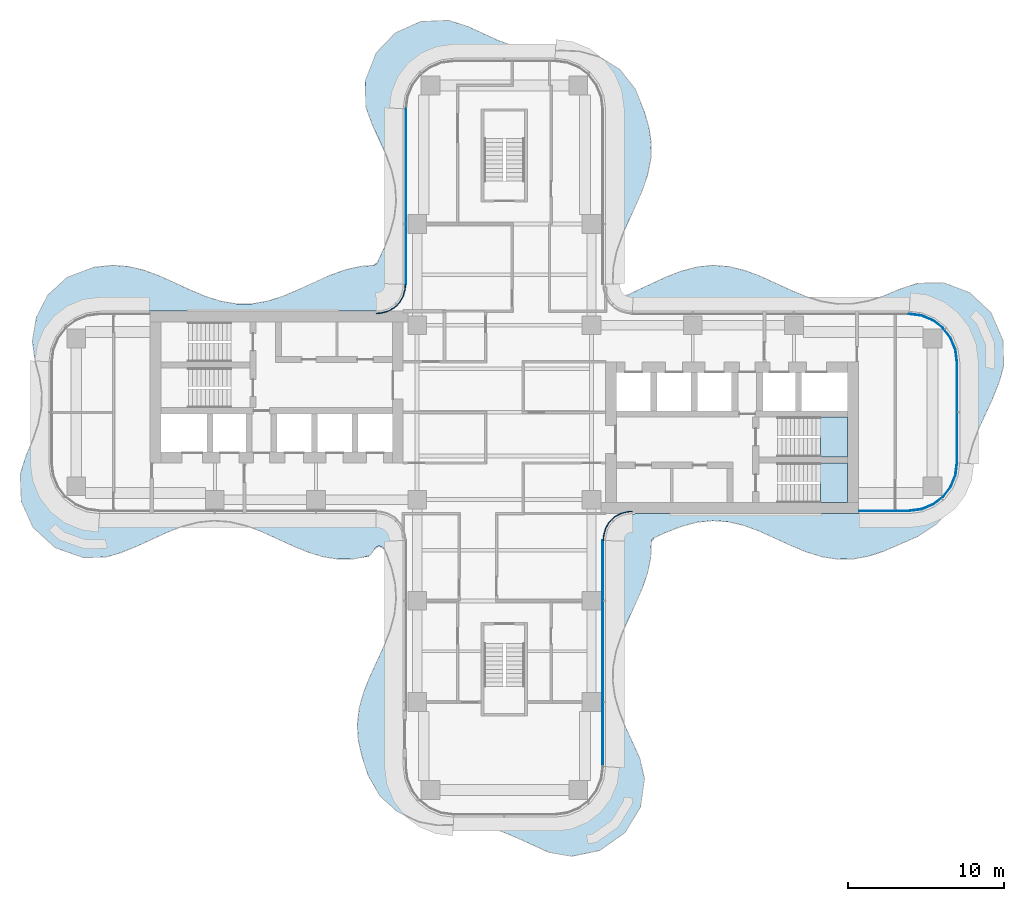
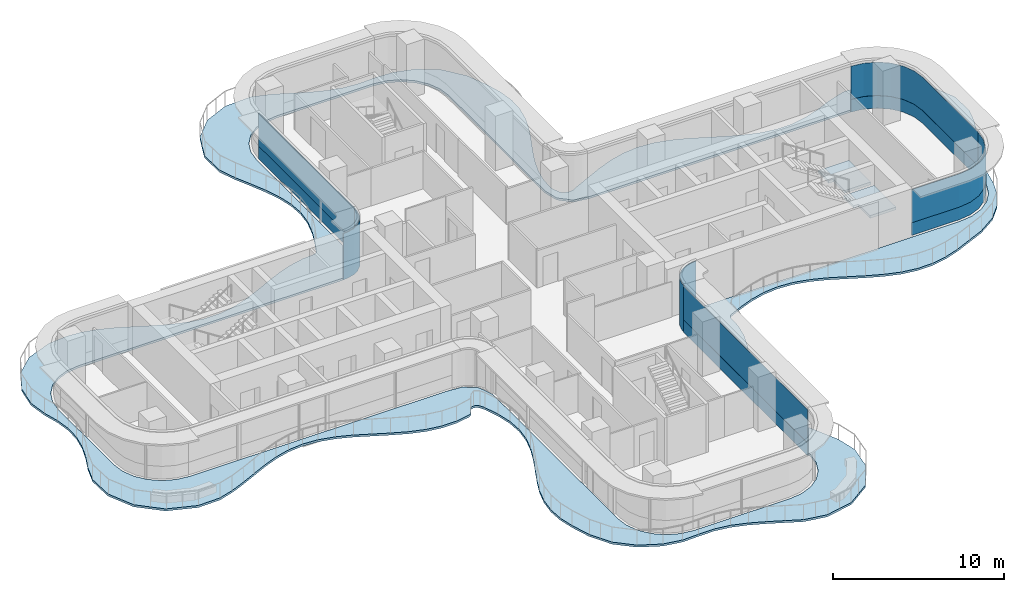
# One storey, part 10 of 17: 10 plates, 3 slabs, 8 elements without a shape of their own.
"""IFC4 building model written with IfcOpenShell, lengths in metres."""

from ifc_helpers import new_model, si_unit, direction, frame, origin, place, context, subcontext, project, spatial, polyline, outline, extrude, source, transform, mapped, material, layer, layer_set, type_object, element, aggregate, save


model = new_model("IFC4")

# Units and contexts
model_context = context("Model", 3, precision=1e-05, world=origin(), true_north=direction((0.0, 1.0)))
body_context = subcontext(model_context, "Body", "Model", "MODEL_VIEW")
ifc_project = project(units=[si_unit("LENGTHUNIT", "METRE"), si_unit("AREAUNIT", "SQUARE_METRE"), si_unit("VOLUMEUNIT", "CUBIC_METRE"), si_unit("PLANEANGLEUNIT", "RADIAN"), si_unit("MASSUNIT", "GRAM", prefix="KILO")], contexts=[model_context])

# Site, building, storey
site_placement = place(None, origin())
site = spatial("IfcSite", under=ifc_project, at=site_placement, CompositionType="ELEMENT")
building_placement = place(site_placement, origin())
building = spatial("IfcBuilding", under=site, at=building_placement, Name="Trellis Farm Tower", CompositionType="ELEMENT")
storey_placement = place(building_placement, frame((0.0, 0.0, 208.800048828125)))
storey = spatial("IfcBuildingStorey", under=building, at=storey_placement, Name="L46", CompositionType="ELEMENT", Elevation=208.800048828125)

# Slab
ifc_material_1 = material(Name="Concrete C40/50", Category="concrete")
ifc_layer_1 = layer(ifc_material_1, 0.14990234375)
ifc_layer_set_1 = layer_set([ifc_layer_1], Name="Balcony slab 150")
slab_type_1 = type_object("IfcSlabType", Name="Balcony slab 150", PredefinedType="FLOOR", material=ifc_layer_set_1)
slab_1_placement = place(storey_placement, frame((0.0, 0.0, -0.150146484375)))
element("IfcSlab", 1, at=slab_1_placement, inside=storey, type_object=slab_type_1, Name="Balcony slab", PredefinedType="FLOOR", context=body_context, shape_type="SweptSolid", body=[
    extrude(outline(polyline([(-8.139892578125, 9.652099609375), (-7.739501953125, 10.525146484375), (-7.73779296875, 10.52880859375), (-7.356201171875, 11.49365234375), (-7.353515625, 11.501220703125), (-7.0703125, 12.5322265625), (-7.068115234375, 12.54345703125), (-6.95556640625, 13.531982421875), (-6.955078125, 13.544921875), (-7.013427734375, 14.526611328125), (-7.01513671875, 14.53857421875), (-7.234375, 15.517578125), (-7.23681640625, 15.5263671875), (-7.587890625, 16.50732421875), (-7.58984375, 16.512451171875), (-8.02587890625, 17.497314453125), (-8.026611328125, 17.498779296875), (-8.484619140625, 18.478759765625), (-8.489501953125, 18.490478515625), (-8.89208984375, 19.5888671875), (-8.9013671875, 19.63720703125), (-8.93701171875, 21.283203125), (-8.9345703125, 21.313720703125), (-8.927490234375, 21.351318359375), (-8.919189453125, 21.3798828125), (-8.239501953125, 23.0693359375), (-8.226318359375, 23.094970703125), (-8.205810546875, 23.12646484375), (-8.18798828125, 23.14892578125), (-7.023681640625, 24.35400390625), (-7.001953125, 24.372802734375), (-6.971435546875, 24.39404296875), (-6.9462890625, 24.408203125), (-5.40625, 25.093994140625), (-5.37939453125, 25.10302734375), (-5.34375, 25.111328125), (-5.31591796875, 25.115234375), (-3.63720703125, 25.185302734375), (-3.61083984375, 25.18408203125), (-3.576904296875, 25.179443359375), (-3.551025390625, 25.173583984375), (-2.370849609375, 24.795166015625), (-2.354248046875, 24.788818359375), (-0.392578125, 23.89111328125), (-0.38720703125, 23.888916015625), (0.633544921875, 23.512451171875), (0.64208984375, 23.510009765625), (1.581298828125, 23.284423828125), (1.5927734375, 23.28271484375), (2.58544921875, 23.202392578125), (2.594482421875, 23.2021484375), (3.67724609375, 23.24609375), (3.6904296875, 23.245849609375), (4.829833984375, 23.19189453125), (4.863037109375, 23.1865234375), (6.114013671875, 22.837646484375), (6.1533203125, 22.8203125), (7.40380859375, 22.03466796875), (7.425048828125, 22.018310546875), (7.449951171875, 21.99560546875), (7.4677734375, 21.976318359375), (8.427978515625, 20.7294921875), (8.44873046875, 20.693115234375), (9.002685546875, 19.291259765625), (9.00732421875, 19.277587890625), (9.29541015625, 18.27490234375), (9.299560546875, 18.25439453125), (9.4375, 17.2841796875), (9.43896484375, 17.258544921875), (9.409423828125, 16.286865234375), (9.40673828125, 16.26220703125), (9.2119140625, 15.2841796875), (9.206787109375, 15.264892578125), (8.87109375, 14.279052734375), (8.86669921875, 14.267578125), (8.434814453125, 13.27392578125), (8.43310546875, 13.27001953125), (7.969482421875, 12.2783203125), (7.968505859375, 12.276611328125), (7.5400390625, 11.292236328125), (7.537841796875, 11.28662109375), (7.189208984375, 10.261962890625), (7.186767578125, 10.252685546875), (6.998291015625, 9.3173828125), (6.996826171875, 9.3056640625), (6.96142578125, 8.389892578125), (6.962646484375, 8.37255859375), (6.98974609375, 8.235107421875), (6.994873046875, 8.218994140625), (7.1865234375, 7.78955078125), (7.19482421875, 7.775146484375), (7.27294921875, 7.671142578125), (7.2978515625, 7.64990234375), (7.4130859375, 7.590087890625), (7.4287109375, 7.583984375), (7.6767578125, 7.518798828125), (7.70361328125, 7.516845703125), (7.923095703125, 7.5400390625), (7.94873046875, 7.547607421875), (8.44189453125, 7.796875), (8.44677734375, 7.799072265625), (10.411376953125, 8.707763671875), (10.42041015625, 8.711669921875), (11.400390625, 9.087646484375), (11.416259765625, 9.0927734375), (12.3896484375, 9.345703125), (12.412353515625, 9.349853515625), (13.38232421875, 9.447021484375), (13.40869140625, 9.447265625), (14.40869140625, 9.37109375), (14.4326171875, 9.367431640625), (15.405029296875, 9.132568359375), (15.422119140625, 9.12744140625), (16.40087890625, 8.764404296875), (16.4111328125, 8.760009765625), (18.386474609375, 7.8564453125), (18.388671875, 7.85546875), (19.372314453125, 7.44482421875), (19.37890625, 7.4423828125), (20.358642578125, 7.13623046875), (20.368896484375, 7.1337890625), (21.34814453125, 6.97265625), (21.360595703125, 6.9716796875), (22.344482421875, 6.977294921875), (22.357421875, 6.978515625), (23.394775390625, 7.1650390625), (23.40478515625, 7.167724609375), (24.385009765625, 7.489501953125), (24.39111328125, 7.49169921875), (25.371826171875, 7.909423828125), (25.384521484375, 7.9140625), (26.5625, 8.29638671875), (26.606201171875, 8.303466796875), (28.156494140625, 8.33154296875), (28.185302734375, 8.3291015625), (28.220703125, 8.322998046875), (28.247802734375, 8.3154296875), (29.836181640625, 7.7138671875), (29.862548828125, 7.70068359375), (29.894775390625, 7.6806640625), (29.91796875, 7.662841796875), (31.23583984375, 6.425537109375), (31.256103515625, 6.402099609375), (31.279052734375, 6.369384765625), (31.294189453125, 6.342041015625), (32.015869140625, 4.64599609375), (32.0244140625, 4.619140625), (32.031982421875, 4.583984375), (32.035400390625, 4.555419921875), (32.07080078125, 3.01171875), (32.065673828125, 2.968994140625), (31.80078125, 1.9921875), (31.79541015625, 1.976318359375), (31.4111328125, 1.0048828125), (31.407958984375, 0.997314453125), (30.496826171875, -0.986083984375), (30.4951171875, -0.989990234375), (30.106201171875, -1.971923828125), (30.103515625, -1.9794921875), (29.825439453125, -2.98193359375), (29.824462890625, -2.986572265625), (29.59521484375, -4.0771484375), (29.59033203125, -4.0947265625), (29.22412109375, -5.16552734375), (29.2119140625, -5.1923828125), (28.618408203125, -6.21533203125), (28.599609375, -6.2412109375), (27.75927734375, -7.1630859375), (27.731201171875, -7.187255859375), (26.560791015625, -7.96240234375), (26.53759765625, -7.974853515625), (24.387451171875, -8.909912109375), (24.374267578125, -8.914794921875), (23.398193359375, -9.234619140625), (23.378662109375, -9.239501953125), (22.407470703125, -9.41748046875), (22.382568359375, -9.419921875), (21.41162109375, -9.432861328125), (21.38623046875, -9.430908203125), (20.41015625, -9.2763671875), (20.389404296875, -9.271484375), (19.4052734375, -8.96728515625), (19.391845703125, -8.962646484375), (18.39306640625, -8.54638671875), (18.388427734375, -8.54443359375), (16.39208984375, -7.632080078125), (16.386962890625, -7.6298828125), (15.387939453125, -7.2626953125), (15.37939453125, -7.260009765625), (14.38525390625, -7.02587890625), (14.37353515625, -7.02392578125), (13.38671875, -6.953857421875), (13.373779296875, -6.9541015625), (12.393310546875, -7.05419921875), (12.382080078125, -7.056396484375), (11.40283203125, -7.31201171875), (11.39501953125, -7.314453125), (10.4130859375, -7.691650390625), (10.408935546875, -7.693359375), (9.64697265625, -8.0400390625), (9.632080078125, -8.048828125), (9.52685546875, -8.1298828125), (9.505615234375, -8.15576171875), (9.4501953125, -8.268310546875), (9.442626953125, -8.298583984375), (9.40625, -9.284912109375), (9.4033203125, -9.309326171875), (9.2060546875, -10.281005859375), (9.200927734375, -10.2998046875), (8.865966796875, -11.27734375), (8.861572265625, -11.28857421875), (8.432861328125, -12.2734375), (8.43115234375, -12.277099609375), (7.965576171875, -13.273193359375), (7.964599609375, -13.275146484375), (7.52978515625, -14.277099609375), (7.527587890625, -14.28271484375), (7.189208984375, -15.281005859375), (7.186767578125, -15.29052734375), (6.99169921875, -16.28271484375), (6.990234375, -16.295166015625), (6.962890625, -17.280029296875), (6.963623046875, -17.292724609375), (7.10498046875, -18.2724609375), (7.107177734375, -18.282958984375), (7.397216796875, -19.262451171875), (7.399658203125, -19.26953125), (7.7998046875, -20.25244140625), (7.80126953125, -20.25537109375), (8.697998046875, -22.208984375), (8.7080078125, -22.238525390625), (8.998291015625, -23.525634765625), (9.001953125, -23.553466796875), (9.003173828125, -23.589111328125), (9.001708984375, -23.616455078125), (8.74609375, -25.3173828125), (8.73876953125, -25.34619140625), (8.7255859375, -25.38232421875), (8.712890625, -25.4091796875), (7.759765625, -26.976806640625), (7.740966796875, -27.00146484375), (7.7138671875, -27.030517578125), (7.6904296875, -27.05078125), (6.18603515625, -28.105712890625), (6.159423828125, -28.12060546875), (6.123291015625, -28.136474609375), (6.093994140625, -28.1455078125), (4.330810546875, -28.510009765625), (4.302490234375, -28.512939453125), (4.265625, -28.513427734375), (4.236572265625, -28.510986328125), (2.86962890625, -28.259521484375), (2.83447265625, -28.248291015625), (0.885009765625, -27.3564453125), (0.8828125, -27.35546875), (-0.1005859375, -26.94482421875), (-0.107421875, -26.9423828125), (-1.135009765625, -26.625), (-1.145751953125, -26.62255859375), (-2.13623046875, -26.468017578125), (-2.1484375, -26.46728515625), (-3.119873046875, -26.477294921875), (-3.12158203125, -26.477294921875), (-4.273193359375, -26.51806640625), (-4.3056640625, -26.515625), (-5.50537109375, -26.294677734375), (-5.542724609375, -26.282470703125), (-6.850341796875, -25.658203125), (-6.8857421875, -25.634521484375), (-7.96630859375, -24.666259765625), (-7.99658203125, -24.628662109375), (-8.7509765625, -23.3017578125), (-8.76318359375, -23.2734375), (-9.16748046875, -22.015625), (-9.171142578125, -22.002197265625), (-9.38671875, -21.030517578125), (-9.389892578125, -21.006591796875), (-9.4453125, -20.036376953125), (-9.444580078125, -20.01025390625), (-9.32568359375, -19.010009765625), (-9.3212890625, -18.987548828125), (-9.051025390625, -18.013916015625), (-9.0458984375, -17.998779296875), (-8.657470703125, -17.017578125), (-8.654296875, -17.01025390625), (-7.739501953125, -15.017822265625), (-7.73779296875, -15.01416015625), (-7.34423828125, -14.013916015625), (-7.341796875, -14.006103515625), (-7.0703125, -13.0107421875), (-7.068115234375, -12.99951171875), (-6.95556640625, -12.010986328125), (-6.955078125, -11.998046875), (-7.013427734375, -11.016357421875), (-7.01513671875, -11.00439453125), (-7.234375, -10.025390625), (-7.23681640625, -10.0166015625), (-7.572509765625, -9.075439453125), (-7.576904296875, -9.065673828125), (-7.7314453125, -8.7724609375), (-7.744873046875, -8.754150390625), (-7.864501953125, -8.6357421875), (-7.90185546875, -8.61572265625), (-8.056396484375, -8.585205078125), (-8.0986328125, -8.589111328125), (-8.244384765625, -8.64892578125), (-8.27734375, -8.67578125), (-8.37451171875, -8.818603515625), (-8.381103515625, -8.8310546875), (-8.412109375, -8.9033203125), (-8.430908203125, -8.935546875), (-8.60888671875, -9.16748046875), (-8.64990234375, -9.2041015625), (-8.705810546875, -9.23828125), (-8.757568359375, -9.258056640625), (-9.66455078125, -9.420166015625), (-9.689697265625, -9.422607421875), (-10.660888671875, -9.4306640625), (-10.686279296875, -9.4287109375), (-11.656982421875, -9.2705078125), (-11.677490234375, -9.265869140625), (-12.6376953125, -8.96728515625), (-12.65087890625, -8.962646484375), (-13.64990234375, -8.54638671875), (-13.654541015625, -8.54443359375), (-15.62890625, -7.64111328125), (-15.634033203125, -7.638916015625), (-16.614990234375, -7.274658203125), (-16.623779296875, -7.272216796875), (-17.65771484375, -7.02587890625), (-17.669677734375, -7.02392578125), (-18.65625, -6.953857421875), (-18.669189453125, -6.9541015625), (-19.649658203125, -7.05419921875), (-19.660888671875, -7.056396484375), (-20.639892578125, -7.31201171875), (-20.64794921875, -7.314453125), (-21.629638671875, -7.691650390625), (-21.634033203125, -7.693359375), (-23.60888671875, -8.599853515625), (-23.614990234375, -8.6025390625), (-24.59716796875, -9.002197265625), (-24.611328125, -9.00732421875), (-25.567138671875, -9.289306640625), (-25.606201171875, -9.29541015625), (-27.010986328125, -9.325927734375), (-27.03857421875, -9.32421875), (-27.072509765625, -9.318603515625), (-27.0986328125, -9.311767578125), (-28.837890625, -8.695068359375), (-28.865478515625, -8.681884765625), (-28.8994140625, -8.66162109375), (-28.923583984375, -8.643310546875), (-30.252685546875, -7.4091796875), (-30.272705078125, -7.386474609375), (-30.29541015625, -7.3544921875), (-30.310546875, -7.328125), (-31.018798828125, -5.72998046875), (-31.027587890625, -5.702880859375), (-31.035888671875, -5.66748046875), (-31.039794921875, -5.638427734375), (-31.092041015625, -3.9931640625), (-31.08544921875, -3.944091796875), (-30.72216796875, -2.768798828125), (-30.716552734375, -2.75341796875), (-30.2900390625, -1.770751953125), (-30.287841796875, -1.76513671875), (-29.951171875, -0.784912109375), (-29.948486328125, -0.775146484375), (-29.74169921875, 0.26123046875), (-29.740234375, 0.273681640625), (-29.712890625, 1.258544921875), (-29.713623046875, 1.271240234375), (-29.85400390625, 2.2490234375), (-29.85595703125, 2.25830078125), (-30.138916015625, 3.284423828125), (-30.142822265625, 3.3037109375), (-30.31640625, 4.56298828125), (-30.315673828125, 4.6083984375), (-30.062744140625, 6.09814453125), (-30.0478515625, 6.142333984375), (-29.32958984375, 7.521484375), (-29.315185546875, 7.544189453125), (-29.29443359375, 7.57080078125), (-29.27685546875, 7.58984375), (-28.101318359375, 8.657958984375), (-28.07861328125, 8.6748046875), (-28.0478515625, 8.693603515625), (-28.022216796875, 8.706298828125), (-26.389892578125, 9.318115234375), (-26.352294921875, 9.326904296875), (-25.16064453125, 9.44677734375), (-25.134521484375, 9.447021484375), (-24.16162109375, 9.37548828125), (-24.1376953125, 9.371826171875), (-23.157958984375, 9.138671875), (-23.140625, 9.133544921875), (-22.153076171875, 8.768798828125), (-22.142578125, 8.7646484375), (-20.156494140625, 7.8564453125), (-20.154296875, 7.85546875), (-19.170654296875, 7.44482421875), (-19.164306640625, 7.4423828125), (-18.184326171875, 7.13623046875), (-18.17431640625, 7.1337890625), (-17.19482421875, 6.97265625), (-17.18212890625, 6.9716796875), (-16.1982421875, 6.977294921875), (-16.185791015625, 6.978515625), (-15.1943359375, 7.153564453125), (-15.184326171875, 7.156005859375), (-14.186767578125, 7.478515625), (-14.180419921875, 7.48095703125), (-13.178955078125, 7.90673828125), (-13.176513671875, 7.907958984375), (-12.1787109375, 8.373779296875), (-12.176025390625, 8.375), (-11.190185546875, 8.811767578125), (-11.1796875, 8.81591796875), (-10.201416015625, 9.165283203125), (-10.18359375, 9.17041015625), (-9.210205078125, 9.386962890625), (-9.1875, 9.39013671875), (-8.4501953125, 9.43896484375), (-8.4306640625, 9.44287109375), (-8.283447265625, 9.493896484375), (-8.251220703125, 9.515869140625), (-8.15087890625, 9.635009765625), (-8.139892578125, 9.652099609375)]), holes=[polyline([(-7.627197265625, -6.625), (-6.92724609375, -7.08642578125), (-6.892822265625, -7.117919921875), (-6.857421875, -7.162109375), (-6.83349609375, -7.2041015625), (-6.5205078125, -8.05517578125), (-6.51123046875, -8.105224609375), (-6.50048828125, -8.99609375), (-6.50048828125, -22.75), (-6.389892578125, -23.59130859375), (-6.065185546875, -24.375244140625), (-5.548583984375, -25.048583984375), (-4.875244140625, -25.565185546875), (-4.09130859375, -25.889892578125), (-3.25, -26.00048828125), (3.25, -26.00048828125), (4.09130859375, -25.889892578125), (4.875244140625, -25.565185546875), (5.548583984375, -25.048583984375), (6.065185546875, -24.375244140625), (6.389892578125, -23.59130859375), (6.50048828125, -22.75), (6.50048828125, -8.321044921875), (6.50439453125, -8.290283203125), (6.720458984375, -7.40380859375), (6.737060546875, -7.363037109375), (6.764404296875, -7.31689453125), (6.79150390625, -7.283203125), (7.401611328125, -6.717041015625), (7.43701171875, -6.692626953125), (7.485107421875, -6.668701171875), (7.526611328125, -6.655517578125), (8.429931640625, -6.502197265625), (8.44775390625, -6.50048828125), (26.0, -6.50048828125), (26.84130859375, -6.389892578125), (27.625244140625, -6.065185546875), (28.298583984375, -5.548583984375), (28.815185546875, -4.875244140625), (29.139892578125, -4.09130859375), (29.25048828125, -3.25), (29.25048828125, 3.25), (29.139892578125, 4.09130859375), (28.815185546875, 4.875244140625), (28.298583984375, 5.548583984375), (27.625244140625, 6.065185546875), (26.84130859375, 6.389892578125), (26.0, 6.50048828125), (8.44775390625, 6.50048828125), (8.429931640625, 6.502197265625), (7.526611328125, 6.655517578125), (7.485107421875, 6.668701171875), (7.43701171875, 6.692626953125), (7.401611328125, 6.717041015625), (6.79150390625, 7.283203125), (6.764404296875, 7.31689453125), (6.737060546875, 7.363037109375), (6.720458984375, 7.40380859375), (6.50439453125, 8.290283203125), (6.50048828125, 8.321044921875), (6.50048828125, 19.5), (6.389892578125, 20.34130859375), (6.065185546875, 21.125244140625), (5.548583984375, 21.798583984375), (4.875244140625, 22.315185546875), (4.09130859375, 22.639892578125), (3.25, 22.75048828125), (-3.25, 22.75048828125), (-4.09130859375, 22.639892578125), (-4.875244140625, 22.315185546875), (-5.548583984375, 21.798583984375), (-6.065185546875, 21.125244140625), (-6.389892578125, 20.34130859375), (-6.50048828125, 19.5), (-6.50048828125, 8.536376953125), (-6.501220703125, 8.526611328125), (-6.618408203125, 7.612548828125), (-6.629638671875, 7.572021484375), (-6.650390625, 7.52392578125), (-6.672119140625, 7.48828125), (-7.201171875, 6.84423828125), (-7.23388671875, 6.814697265625), (-7.279052734375, 6.784423828125), (-7.320068359375, 6.765380859375), (-8.194091796875, 6.5087890625), (-8.236083984375, 6.502685546875), (-21.365478515625, 6.50048828125), (-26.0, 6.50048828125), (-26.84130859375, 6.389892578125), (-27.625244140625, 6.065185546875), (-28.298583984375, 5.548583984375), (-28.815185546875, 4.875244140625), (-29.139892578125, 4.09130859375), (-29.25048828125, 3.25), (-29.25048828125, -3.25), (-29.139892578125, -4.09130859375), (-28.815185546875, -4.875244140625), (-28.298583984375, -5.548583984375), (-27.625244140625, -6.065185546875), (-26.84130859375, -6.389892578125), (-26.0, -6.50048828125), (-8.66748046875, -6.50048828125), (-8.6669921875, -6.50048828125), (-7.740234375, -6.58544921875), (-7.7041015625, -6.59326171875), (-7.66015625, -6.608642578125), (-7.627197265625, -6.625)])]), origin(), (0.0, 0.0, 1.0), 0.150146484375),
])

# Curtain wall, plate
ifc_material_2 = material(Name="Aluminium and glass curtain wall", Category="aluminium")
ifc_layer_2 = layer(ifc_material_2, 0.18994140625)
ifc_layer_set_2 = layer_set([ifc_layer_2], Name="RIBBON CURTAIN WALL CW1")
curtain_wall_type_1 = type_object("IfcCurtainWallType", Name="RIBBON CURTAIN WALL CW1", PredefinedType="NOTDEFINED", material=ifc_layer_set_2)
placement_1 = place(storey_placement, origin())
curtain_wall_1 = element("IfcCurtainWall", 2, at=placement_1, inside=storey, type_object=curtain_wall_type_1, Name="CW1 005", PredefinedType="NOTDEFINED")
ifc_material_3 = material(Name="Clear insulated glass", Category="glass")
ifc_layer_3 = layer(ifc_material_3, 0.0400390625)
ifc_layer_set_3 = layer_set([ifc_layer_3], Name="CW1 GLASS PANEL 40")
plate_type_1 = type_object("IfcPlateType", Name="CW1 GLASS PANEL 40", PredefinedType="CURTAIN_PANEL", material=ifc_layer_set_3)
placement_2 = place(storey_placement, frame((0.0, 0.0, 0.89990234375)))
plate_1 = element("IfcPlate", 3, at=placement_2, type_object=plate_type_1, Name="PL1 005", PredefinedType="CURTAIN_PANEL", context=body_context, shape_type="SweptSolid", body=[
    extrude(outline(polyline([(6.35009765625, -22.740234375), (6.35009765625, -8.2265625), (6.31005859375, -8.22509765625), (6.31005859375, -22.737548828125), (6.35009765625, -22.740234375)])), origin(), (0.0, 0.0, 1.0), 2.3701171875),
])

curtain_wall_2 = element("IfcCurtainWall", 4, at=placement_1, inside=storey, type_object=curtain_wall_type_1, Name="CW1 006", PredefinedType="NOTDEFINED")
plate_2 = element("IfcPlate", 5, at=placement_2, type_object=plate_type_1, Name="PL1 006", PredefinedType="CURTAIN_PANEL", context=body_context, shape_type="SweptSolid", body=[
    extrude(outline(polyline([(22.780029296875, -6.35009765625), (25.990234375, -6.35009765625), (26.802001953125, -6.2431640625), (27.54931640625, -5.93359375), (28.191162109375, -5.441162109375), (28.68359375, -4.79931640625), (28.9931640625, -4.052001953125), (29.10009765625, -3.240234375), (29.06005859375, -3.237548828125), (28.9541015625, -4.04150390625), (28.648681640625, -4.779296875), (28.16259765625, -5.41259765625), (27.529296875, -5.898681640625), (26.79150390625, -6.2041015625), (25.987548828125, -6.31005859375), (22.780029296875, -6.31005859375), (22.780029296875, -6.35009765625)])), origin(), (0.0, 0.0, 1.0), 2.3701171875),
])

curtain_wall_3 = element("IfcCurtainWall", 6, at=placement_1, inside=storey, type_object=curtain_wall_type_1, Name="CW1 007", PredefinedType="NOTDEFINED")
plate_3 = element("IfcPlate", 7, at=placement_2, type_object=plate_type_1, Name="PL1 007", PredefinedType="CURTAIN_PANEL", context=body_context, shape_type="SweptSolid", body=[
    extrude(outline(polyline([(29.10009765625, -3.240234375), (29.10009765625, 3.240234375), (28.9931640625, 4.052001953125), (28.68359375, 4.79931640625), (28.191162109375, 5.441162109375), (27.54931640625, 5.93359375), (26.802001953125, 6.2431640625), (25.990234375, 6.35009765625), (25.987548828125, 6.31005859375), (26.79150390625, 6.2041015625), (27.529296875, 5.898681640625), (28.16259765625, 5.41259765625), (28.648681640625, 4.779296875), (28.9541015625, 4.04150390625), (29.06005859375, 3.237548828125), (29.06005859375, -3.237548828125), (29.10009765625, -3.240234375)])), origin(), (0.0, 0.0, 1.0), 2.3701171875),
])

# Stair, slab
ifc_material_4 = material(Name="Concrete C50/60", Category="concrete")
stair_type = type_object("IfcStairType", Name="CORE EXIT STAIR 22 RISERS 177 MM", PredefinedType="HALF_TURN_STAIR", material=ifc_material_4)
stair_1 = element("IfcStair", 8, at=placement_1, inside=storey, type_object=stair_type, Name="Exit stair E1", PredefinedType="HALF_TURN_STAIR")
ifc_layer_4 = layer(ifc_material_4, 0.18994140625)
ifc_layer_set_4 = layer_set([ifc_layer_4], Name="CORE STAIR LANDING 190 CONCRETE C50/60")
slab_type_2 = type_object("IfcSlabType", Name="CORE STAIR LANDING 190 CONCRETE C50/60", PredefinedType="LANDING", material=ifc_layer_set_4)
shared_shape_1 = source(origin(), body_context, "Body", "SweptSolid", [
    extrude(outline(polyline([(20.2900390625, -5.800048828125), (20.2900390625, -4.60009765625), (20.300048828125, -4.60009765625), (20.300048828125, -4.449951171875), (19.971923828125, -4.449951171875), (19.971923828125, -3.25), (20.300048828125, -3.25), (22.050048828125, -3.25), (22.050048828125, -5.800048828125), (20.300048828125, -5.800048828125), (20.2900390625, -5.800048828125)])), origin(), (0.0, 0.0, 1.0), 0.18994140625),
])
placement_3 = place(storey_placement, frame((0.0, 0.0, 1.760009765625)))
slab_2 = element("IfcSlab", 9, at=placement_3, type_object=slab_type_2, Name="STE1 landing 1", PredefinedType="LANDING", context=body_context, shape_type="MappedRepresentation", body=[
    mapped(shared_shape_1, transform((0.0, 0.0, 0.0))),
])
aggregate(stair_1, [slab_2])

stair_2 = element("IfcStair", 10, at=placement_1, inside=storey, type_object=stair_type, Name="Exit stair E2", PredefinedType="HALF_TURN_STAIR")
shared_shape_2 = source(origin(), body_context, "Body", "SweptSolid", [
    extrude(outline(polyline([(20.2900390625, -2.85009765625), (20.2900390625, -1.64990234375), (20.300048828125, -1.64990234375), (20.300048828125, -1.5), (19.971923828125, -1.5), (19.971923828125, -0.300048828125), (20.300048828125, -0.300048828125), (22.050048828125, -0.300048828125), (22.050048828125, -2.85009765625), (20.300048828125, -2.85009765625), (20.2900390625, -2.85009765625)])), origin(), (0.0, 0.0, 1.0), 0.18994140625),
])
slab_3 = element("IfcSlab", 11, at=placement_3, type_object=slab_type_2, Name="STE2 landing 1", PredefinedType="LANDING", context=body_context, shape_type="MappedRepresentation", body=[
    mapped(shared_shape_2, transform((0.0, 0.0, 0.0))),
])
aggregate(stair_2, [slab_3])

# Plate
ifc_material_5 = material(Name="Sandstone faced insulated panel", Category="masonry")
ifc_layer_5 = layer(ifc_material_5, 0.050048828125)
ifc_layer_set_5 = layer_set([ifc_layer_5], Name="CW1 STONE SPANDREL PANEL 50")
plate_type_2 = type_object("IfcPlateType", Name="CW1 STONE SPANDREL PANEL 50", PredefinedType="CURTAIN_PANEL", material=ifc_layer_set_5)
shared_shape_3 = source(origin(), body_context, "Body", "SweptSolid", [
    extrude(outline(polyline([(22.780029296875, -6.35009765625), (25.990234375, -6.35009765625), (26.802001953125, -6.2431640625), (27.54931640625, -5.93359375), (28.191162109375, -5.441162109375), (28.68359375, -4.79931640625), (28.9931640625, -4.052001953125), (29.10009765625, -3.240234375), (29.050048828125, -3.23681640625), (28.9443359375, -4.0390625), (28.639892578125, -4.774169921875), (28.155517578125, -5.405517578125), (27.524169921875, -5.889892578125), (26.7890625, -6.1943359375), (25.98681640625, -6.300048828125), (22.780029296875, -6.300048828125), (22.780029296875, -6.35009765625)])), origin(), (0.0, 0.0, 1.0), 0.89990234375),
])
plate_4 = element("IfcPlate", 12, at=placement_1, type_object=plate_type_2, Name="PS1 006", PredefinedType="CURTAIN_PANEL", context=body_context, shape_type="MappedRepresentation", body=[
    mapped(shared_shape_3, transform((0.0, 0.0, 0.0))),
])

aggregate(curtain_wall_2, [plate_2, plate_4])

shared_shape_4 = source(origin(), body_context, "Body", "SweptSolid", [
    extrude(outline(polyline([(29.10009765625, -3.240234375), (29.10009765625, 3.240234375), (28.9931640625, 4.052001953125), (28.68359375, 4.79931640625), (28.191162109375, 5.441162109375), (27.54931640625, 5.93359375), (26.802001953125, 6.2431640625), (25.990234375, 6.35009765625), (25.98681640625, 6.300048828125), (26.7890625, 6.1943359375), (27.524169921875, 5.889892578125), (28.155517578125, 5.405517578125), (28.639892578125, 4.774169921875), (28.9443359375, 4.0390625), (29.050048828125, 3.23681640625), (29.050048828125, -3.23681640625), (29.10009765625, -3.240234375)])), origin(), (0.0, 0.0, 1.0), 0.89990234375),
])
plate_5 = element("IfcPlate", 13, at=placement_1, type_object=plate_type_2, Name="PS1 007", PredefinedType="CURTAIN_PANEL", context=body_context, shape_type="MappedRepresentation", body=[
    mapped(shared_shape_4, transform((0.0, 0.0, 0.0))),
])

aggregate(curtain_wall_3, [plate_3, plate_5])

shared_shape_5 = source(origin(), body_context, "Body", "SweptSolid", [
    extrude(outline(polyline([(6.35009765625, -22.740234375), (6.35009765625, -8.2265625), (6.300048828125, -8.224853515625), (6.300048828125, -22.73681640625), (6.35009765625, -22.740234375)])), origin(), (0.0, 0.0, 1.0), 0.89990234375),
])
plate_6 = element("IfcPlate", 14, at=placement_1, type_object=plate_type_2, Name="PS1 005", PredefinedType="CURTAIN_PANEL", context=body_context, shape_type="MappedRepresentation", body=[
    mapped(shared_shape_5, transform((0.0, 0.0, 0.0))),
])

aggregate(curtain_wall_1, [plate_1, plate_6])

# Curtain wall, plate
curtain_wall_4 = element("IfcCurtainWall", 15, at=placement_1, inside=storey, type_object=curtain_wall_type_1, Name="CW1 011", PredefinedType="NOTDEFINED")
shared_shape_6 = source(origin(), body_context, "Body", "SweptSolid", [
    extrude(outline(polyline([(-6.35009765625, 19.490234375), (-6.35009765625, 8.2265625), (-6.300048828125, 8.224853515625), (-6.300048828125, 19.48681640625), (-6.35009765625, 19.490234375)])), origin(), (0.0, 0.0, 1.0), 0.89990234375),
])
plate_7 = element("IfcPlate", 16, at=placement_1, type_object=plate_type_2, Name="PS1 011", PredefinedType="CURTAIN_PANEL", context=body_context, shape_type="MappedRepresentation", body=[
    mapped(shared_shape_6, transform((0.0, 0.0, 0.0))),
])

ifc_layer_6 = layer(ifc_material_2, 0.166015625)
ifc_layer_set_6 = layer_set([ifc_layer_6], Name="WINTER GARDEN CURTAIN WALL CW3")
curtain_wall_type_2 = type_object("IfcCurtainWallType", Name="WINTER GARDEN CURTAIN WALL CW3", PredefinedType="NOTDEFINED", material=ifc_layer_set_6)
curtain_wall_5 = element("IfcCurtainWall", 17, at=placement_1, inside=storey, type_object=curtain_wall_type_2, Name="CW3 002", PredefinedType="NOTDEFINED")
ifc_layer_7 = layer(ifc_material_3, 0.0458984375)
ifc_layer_set_7 = layer_set([ifc_layer_7], Name="CW3 GLASS PANEL 46")
plate_type_3 = type_object("IfcPlateType", Name="CW3 GLASS PANEL 46", PredefinedType="CURTAIN_PANEL", material=ifc_layer_set_7)
shared_shape_7 = source(origin(), body_context, "Body", "SweptSolid", [
    extrude(outline(polyline([(6.3798828125, -8.2275390625), (6.394287109375, -8.0078125), (6.40966796875, -7.89208984375), (6.52490234375, -7.462158203125), (6.7509765625, -7.070556640625), (7.070556640625, -6.7509765625), (7.462158203125, -6.52490234375), (7.89208984375, -6.40966796875), (8.0078125, -6.394287109375), (8.2275390625, -6.3798828125), (8.22607421875, -6.333984375), (8.003173828125, -6.3486328125), (7.883056640625, -6.364501953125), (7.4443359375, -6.48193359375), (7.04248046875, -6.714111328125), (6.714111328125, -7.04248046875), (6.48193359375, -7.4443359375), (6.364501953125, -7.883056640625), (6.3486328125, -8.003173828125), (6.333984375, -8.22607421875), (6.3798828125, -8.2275390625)])), origin(), (0.0, 0.0, 1.0), 3.300048828125),
])
plate_8 = element("IfcPlate", 18, at=placement_1, type_object=plate_type_3, Name="PL3 002", PredefinedType="CURTAIN_PANEL", context=body_context, shape_type="MappedRepresentation", body=[
    mapped(shared_shape_7, transform((0.0, 0.0, 0.0))),
])
aggregate(curtain_wall_5, [plate_8])

# Plate
shared_shape_8 = source(origin(), body_context, "Body", "SweptSolid", [
    extrude(outline(polyline([(-6.35009765625, 19.490234375), (-6.35009765625, 8.2265625), (-6.31005859375, 8.22509765625), (-6.31005859375, 19.487548828125), (-6.35009765625, 19.490234375)])), origin(), (0.0, 0.0, 1.0), 2.3701171875),
])
plate_9 = element("IfcPlate", 19, at=placement_2, type_object=plate_type_1, Name="PL1 011", PredefinedType="CURTAIN_PANEL", context=body_context, shape_type="MappedRepresentation", body=[
    mapped(shared_shape_8, transform((0.0, 0.0, 0.0))),
])

aggregate(curtain_wall_4, [plate_9, plate_7])

# Curtain wall, plate
curtain_wall_6 = element("IfcCurtainWall", 20, at=placement_1, inside=storey, type_object=curtain_wall_type_2, Name="CW3 004", PredefinedType="NOTDEFINED")
shared_shape_9 = source(origin(), body_context, "Body", "SweptSolid", [
    extrude(outline(polyline([(-6.3798828125, 8.2275390625), (-6.394287109375, 8.0078125), (-6.40966796875, 7.89208984375), (-6.52490234375, 7.462158203125), (-6.7509765625, 7.070556640625), (-7.070556640625, 6.7509765625), (-7.462158203125, 6.52490234375), (-7.89208984375, 6.40966796875), (-8.0078125, 6.394287109375), (-8.2275390625, 6.3798828125), (-8.22607421875, 6.333984375), (-8.003173828125, 6.3486328125), (-7.883056640625, 6.364501953125), (-7.4443359375, 6.48193359375), (-7.04248046875, 6.714111328125), (-6.714111328125, 7.04248046875), (-6.48193359375, 7.4443359375), (-6.364501953125, 7.883056640625), (-6.3486328125, 8.003173828125), (-6.333984375, 8.22607421875), (-6.3798828125, 8.2275390625)])), origin(), (0.0, 0.0, 1.0), 3.300048828125),
])
plate_10 = element("IfcPlate", 21, at=placement_1, type_object=plate_type_3, Name="PL3 004", PredefinedType="CURTAIN_PANEL", context=body_context, shape_type="MappedRepresentation", body=[
    mapped(shared_shape_9, transform((0.0, 0.0, 0.0))),
])
aggregate(curtain_wall_6, [plate_10])

save(model, "model.ifc")
